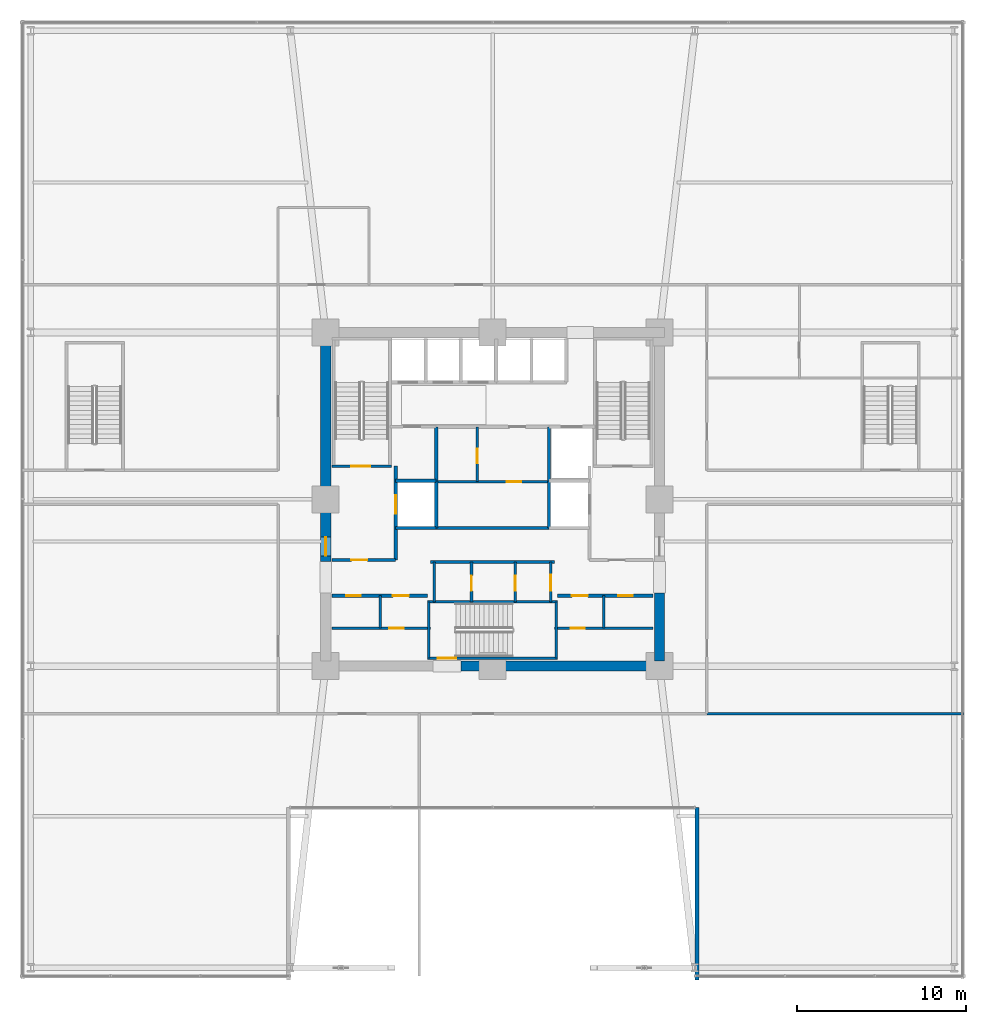
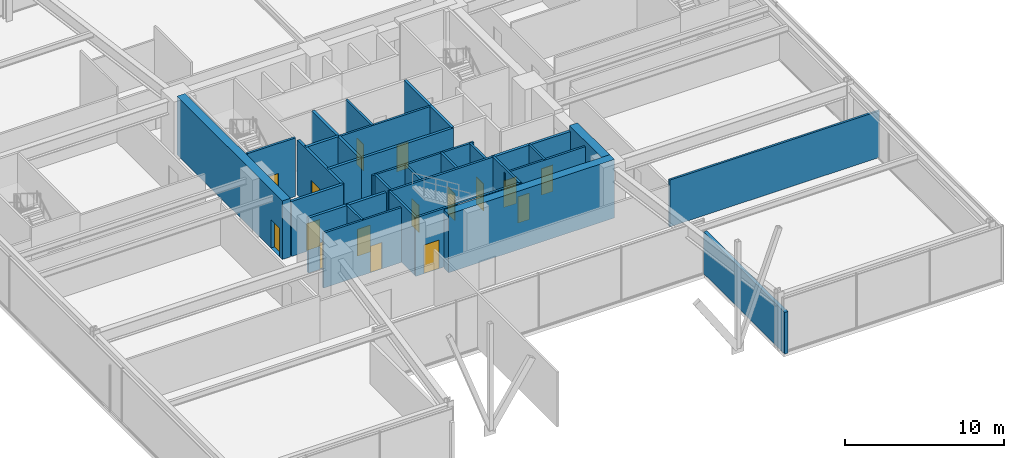
# One storey, part 41 of 47: 32 walls, 16 doors, 16 openings.
"""IFC4 building model written with IfcOpenShell, lengths in metres."""

from ifc_helpers import new_model, si_unit, direction, frame, frame_2d, origin, place, context, subcontext, project, spatial, rectangle, extrude, material, layer, layer_set, type_object, element, fill, save


model = new_model("IFC4")

# Units and contexts
model_context = context("Model", 3, precision=1e-05, world=origin(), true_north=direction((0.0, 1.0)))
body_context = subcontext(model_context, "Body", "Model", "MODEL_VIEW")
ifc_project = project(units=[si_unit("LENGTHUNIT", "METRE"), si_unit("AREAUNIT", "SQUARE_METRE"), si_unit("VOLUMEUNIT", "CUBIC_METRE"), si_unit("PLANEANGLEUNIT", "RADIAN"), si_unit("MASSUNIT", "GRAM", prefix="KILO")], contexts=[model_context])

# Site, building, storey
site_placement = place(None, origin())
site = spatial("IfcSite", under=ifc_project, at=site_placement, CompositionType="ELEMENT")
building_placement = place(site_placement, origin())
building = spatial("IfcBuilding", under=site, at=building_placement, Name="Kolvaren Belvedere", CompositionType="ELEMENT")
storey_placement = place(building_placement, frame((0.0, 0.0, 5.5)))
storey = spatial("IfcBuildingStorey", under=building, at=storey_placement, Name="L02", CompositionType="ELEMENT", Elevation=5.5)

# Walls
ifc_material_1 = material(Name="Concrete C60/75", Category="concrete")
ifc_layer_1 = layer(ifc_material_1, 0.60009765625)
ifc_layer_set_1 = layer_set([ifc_layer_1], Name="Concrete C60/75")
wall_type_1 = type_object("IfcWallType", Name="CW-CORE-600", PredefinedType="SHEAR", material=ifc_layer_set_1)
wall_1_placement = place(storey_placement, frame((10.199951171875, -9.89990234375, 0.0), z_axis=(0.0, 0.0, 1.0), x_axis=(-1.0, 0.0, 0.0)))
element("IfcWall", 1, at=wall_1_placement, inside=storey, type_object=wall_type_1, Name="L02 South Core Shear Wall 1", PredefinedType="SHEAR", context=body_context, shape_type="SweptSolid", body=[
    extrude(rectangle(XDim=12.06005859375, YDim=0.60009765625, at=frame_2d((6.030029296875, 0.0))), origin(), (0.0, 0.0, 1.0), 4.5),
])
wall_2_placement = place(storey_placement, frame((9.89990234375, -9.60009765625, 0.0), z_axis=(0.0, 0.0, 1.0), x_axis=(0.0, 1.0, 0.0)))
element("IfcWall", 2, at=wall_2_placement, inside=storey, type_object=wall_type_1, Name="L02 East Core Shear Wall 1", PredefinedType="SHEAR", context=body_context, shape_type="SweptSolid", body=[
    extrude(rectangle(XDim=4.050048828125, YDim=0.60009765625, at=frame_2d((2.02490234375, 0.0))), origin(), (0.0, 0.0, 1.0), 4.5),
])

# Wall, opening, door
wall_3_placement = place(storey_placement, frame((-9.89990234375, -3.699951171875, 0.0), z_axis=(0.0, 0.0, 1.0), x_axis=(0.0, 1.0, 0.0)))
wall_3 = element("IfcWall", 3, at=wall_3_placement, inside=storey, type_object=wall_type_1, Name="L02 West Core Shear Wall 2", PredefinedType="SHEAR", context=body_context, shape_type="SweptSolid", body=[
    extrude(rectangle(XDim=13.300048828125, YDim=0.60009765625, at=frame_2d((6.64990234375, 0.0))), origin(), (0.0, 0.0, 1.0), 4.5),
])
opening_1_placement = place(wall_3_placement, frame((0.35009765625, 0.0, 0.0)))
opening_1 = element("IfcOpeningElement", 4, at=opening_1_placement, cuts=wall_3, Name="Opening D-FD90", PredefinedType="OPENING", context=body_context, shape_type="SweptSolid", body=[
    extrude(rectangle(XDim=1.10009765625, YDim=2.199951171875, at=frame_2d((0.550048828125, 1.10009765625))), frame((0.0, 0.31005859375, 0.0), z_axis=(0.0, -1.0, 0.0), x_axis=(1.0, 0.0, 0.0)), (0.0, 0.0, 1.0), 0.6201171875),
])
ifc_material_2 = material(Name="Painted hollow stainless steel", Category="steel")
door_type_1 = type_object("IfcDoorType", Name="DR-FD90-1100", OperationType="NOTDEFINED", PredefinedType="DOOR", material=ifc_material_2)
door_1_placement = place(opening_1_placement, origin())
door_1 = element("IfcDoor", 5, at=door_1_placement, inside=storey, type_object=door_type_1, Name="L02 West Firefighting Lobby Fire Door", OperationType="SINGLE_SWING_LEFT", OverallHeight=2.199951171875, OverallWidth=1.10009765625, PredefinedType="DOOR", context=body_context, shape_type="SweptSolid", body=[
    extrude(rectangle(XDim=1.10009765625, YDim=2.199951171875, at=frame_2d((0.550048828125, 1.10009765625))), frame((0.0, 0.02490234375, 0.0), z_axis=(0.0, -1.0, 0.0), x_axis=(1.0, 0.0, 0.0)), (0.0, 0.0, 1.0), 0.050048828125),
])
fill(opening_1, door_1)

ifc_material_3 = material(Name="Concrete C50/60", Category="concrete")
ifc_layer_2 = layer(ifc_material_3, 0.159912109375)
ifc_layer_set_2 = layer_set([ifc_layer_2], Name="Concrete C50/60")
wall_type_2 = type_object("IfcWallType", Name="CW-STAIR-160", PredefinedType="SHEAR", material=ifc_layer_set_2)
wall_4_placement = place(storey_placement, frame((-9.52001953125, 1.969970703125, 0.0), z_axis=(0.0, 0.0, 1.0), x_axis=(1.0, 0.0, 0.0)))
wall_4 = element("IfcWall", 6, at=wall_4_placement, inside=storey, type_object=wall_type_2, Name="L02 Stair ST-1 South Shear Wall", PredefinedType="SHEAR", context=body_context, shape_type="SweptSolid", body=[
    extrude(rectangle(XDim=3.52001953125, YDim=0.159912109375, at=frame_2d((1.760009765625, 0.0))), origin(), (0.0, 0.0, 1.0), 4.5),
])
opening_2_placement = place(wall_4_placement, frame((1.14990234375, 0.0, 0.0)))
opening_2 = element("IfcOpeningElement", 7, at=opening_2_placement, cuts=wall_4, Name="Opening D-FD90", PredefinedType="OPENING", context=body_context, shape_type="SweptSolid", body=[
    extrude(rectangle(XDim=1.10009765625, YDim=2.199951171875, at=frame_2d((0.550048828125, 1.10009765625))), frame((0.0, 0.08984375, 0.0), z_axis=(0.0, -1.0, 0.0), x_axis=(1.0, 0.0, 0.0)), (0.0, 0.0, 1.0), 0.179931640625),
])
door_2_placement = place(opening_2_placement, origin())
door_2 = element("IfcDoor", 8, at=door_2_placement, inside=storey, type_object=door_type_1, Name="L02 Stair ST-1 Fire Door", OperationType="SINGLE_SWING_LEFT", OverallHeight=2.199951171875, OverallWidth=1.10009765625, PredefinedType="DOOR", context=body_context, shape_type="SweptSolid", body=[
    extrude(rectangle(XDim=1.10009765625, YDim=2.199951171875, at=frame_2d((0.550048828125, 1.10009765625))), frame((0.0, 0.02490234375, 0.0), z_axis=(0.0, -1.0, 0.0), x_axis=(1.0, 0.0, 0.0)), (0.0, 0.0, 1.0), 0.050048828125),
])
fill(opening_2, door_2)

wall_5_placement = place(storey_placement, frame((3.860107421875, -9.429931640625, 0.0), z_axis=(0.0, 0.0, 1.0), x_axis=(-1.0, 0.0, 0.0)))
wall_5 = element("IfcWall", 9, at=wall_5_placement, inside=storey, type_object=wall_type_2, Name="L02 Stair ST-3 South Shear Wall", PredefinedType="SHEAR", context=body_context, shape_type="SweptSolid", body=[
    extrude(rectangle(XDim=7.72021484375, YDim=0.159912109375, at=frame_2d((3.860107421875, 0.0))), origin(), (0.0, 0.0, 1.0), 4.5),
])
opening_3_placement = place(wall_5_placement, frame((6.010009765625, 0.0, 0.0)))
opening_3 = element("IfcOpeningElement", 10, at=opening_3_placement, cuts=wall_5, Name="Opening D-FD90", PredefinedType="OPENING", context=body_context, shape_type="SweptSolid", body=[
    extrude(rectangle(XDim=1.10009765625, YDim=2.199951171875, at=frame_2d((0.550048828125, 1.10009765625))), frame((0.0, 0.08984375, 0.0), z_axis=(0.0, -1.0, 0.0), x_axis=(1.0, 0.0, 0.0)), (0.0, 0.0, 1.0), 0.179931640625),
])
door_3_placement = place(opening_3_placement, origin())
door_3 = element("IfcDoor", 11, at=door_3_placement, inside=storey, type_object=door_type_1, Name="L02 Stair ST-3 Exit Door", OperationType="SINGLE_SWING_RIGHT", OverallHeight=2.199951171875, OverallWidth=1.10009765625, PredefinedType="DOOR", context=body_context, shape_type="SweptSolid", body=[
    extrude(rectangle(XDim=1.10009765625, YDim=2.199951171875, at=frame_2d((0.550048828125, 1.10009765625))), frame((0.0, 0.02490234375, 0.0), z_axis=(0.0, -1.0, 0.0), x_axis=(1.0, 0.0, 0.0)), (0.0, 0.0, 1.0), 0.050048828125),
])
fill(opening_3, door_3)

# Walls
wall_6_placement = place(storey_placement, frame((-3.860107421875, -6.080078125, 0.0), z_axis=(0.0, 0.0, 1.0), x_axis=(1.0, 0.0, 0.0)))
element("IfcWall", 12, at=wall_6_placement, inside=storey, type_object=wall_type_2, Name="L02 Stair ST-3 North Shear Wall", PredefinedType="SHEAR", context=body_context, shape_type="SweptSolid", body=[
    extrude(rectangle(XDim=7.72021484375, YDim=0.159912109375, at=frame_2d((3.860107421875, 0.0))), origin(), (0.0, 0.0, 1.0), 4.5),
])
for number, where, z_axis, x_axis, name in (
    (13, (-3.780029296875, -9.429931640625, 0.0), (0.0, 0.0, 1.0), (0.0, 1.0, 0.0), "L02 Stair ST-3 West Shear Wall"),
    (14, (3.780029296875, -9.429931640625, 0.0), (0.0, 0.0, 1.0), (0.0, 1.0, 0.0), "L02 Stair ST-3 East Shear Wall"),
):
    element("IfcWall", number, at=place(storey_placement, frame(where, z_axis=z_axis, x_axis=x_axis)), inside=storey, type_object=wall_type_2, Name=name, PredefinedType="SHEAR", context=body_context, shape_type="SweptSolid", body=[
        extrude(rectangle(XDim=3.349853515625, YDim=0.159912109375, at=frame_2d((1.6748046875, 0.0))), origin(), (0.0, 0.0, 1.0), 4.5),
    ])
ifc_material_4 = material(Name="Gypsum fire-rated partition assembly", Category="gypsum")
ifc_layer_3 = layer(ifc_material_4, 0.14990234375)
ifc_layer_set_3 = layer_set([ifc_layer_3], Name="Gypsum fire-rated partition assembly")
wall_type_3 = type_object("IfcWallType", Name="WL-CORR-150", PredefinedType="PARTITIONING", material=ifc_layer_set_3)
wall_7_placement = place(storey_placement, frame((12.719970703125, -12.719970703125, 0.0), z_axis=(0.0, 0.0, 1.0), x_axis=(1.0, 0.0, 0.0)))
element("IfcWall", 15, at=wall_7_placement, inside=storey, type_object=wall_type_3, Name="L02 Sector Wall PW-L02-QSE", PredefinedType="PARTITIONING", context=body_context, shape_type="SweptSolid", body=[
    extrude(rectangle(XDim=15.260009765625, YDim=0.14990234375, at=frame_2d((7.6298828125, 0.0))), origin(), (0.0, 0.0, 1.0), 3.589111328125),
])
ifc_material_5 = material(Name="Insulated pale-metal facade wall assembly", Category="aluminium")
ifc_layer_4 = layer(ifc_material_5, 0.239990234375)
ifc_layer_set_4 = layer_set([ifc_layer_4], Name="Insulated pale-metal facade wall assembly")
wall_type_4 = type_object("IfcWallType", Name="WL-EXT-240", PredefinedType="STANDARD", material=ifc_layer_set_4)
wall_8_placement = place(storey_placement, frame((12.1201171875, -28.52001953125, 0.0), z_axis=(0.0, 0.0, 1.0), x_axis=(0.0, 1.0, 0.0)))
element("IfcWall", 16, at=wall_8_placement, inside=storey, type_object=wall_type_4, Name="L02 Serrated Corner Facade Wall 4", PredefinedType="STANDARD", context=body_context, shape_type="SweptSolid", body=[
    extrude(rectangle(XDim=10.239990234375, YDim=0.239990234375, at=frame_2d((5.1201171875, 0.0))), origin(), (0.0, 0.0, 1.0), 3.2041015625),
])

# Wall, opening, door
ifc_material_6 = material(Name="Gypsum acoustic partition assembly", Category="gypsum")
ifc_layer_5 = layer(ifc_material_6, 0.14990234375)
ifc_layer_set_5 = layer_set([ifc_layer_5], Name="Gypsum acoustic partition assembly")
wall_type_5 = type_object("IfcWallType", Name="WL-PART-150", PredefinedType="PARTITIONING", material=ifc_layer_set_5)
wall_9_placement = place(storey_placement, frame((-9.52001953125, -7.64990234375, 0.0), z_axis=(0.0, 0.0, 1.0), x_axis=(1.0, 0.0, 0.0)))
wall_9 = element("IfcWall", 17, at=wall_9_placement, inside=storey, type_object=wall_type_5, Name="L02 SW Core H-Divider", PredefinedType="PARTITIONING", context=body_context, shape_type="SweptSolid", body=[
    extrude(rectangle(XDim=5.840087890625, YDim=0.14990234375, at=frame_2d((2.919921875, 0.0))), origin(), (0.0, 0.0, 1.0), 4.219970703125),
])
opening_4_placement = place(wall_9_placement, frame((3.39990234375, 0.0, 0.0)))
opening_4 = element("IfcOpeningElement", 18, at=opening_4_placement, cuts=wall_9, Name="Opening D-INT85", PredefinedType="OPENING", context=body_context, shape_type="SweptSolid", body=[
    extrude(rectangle(XDim=0.85009765625, YDim=2.030029296875, at=frame_2d((0.425048828125, 1.01513671875))), frame((0.0, 0.0849609375, 0.0), z_axis=(0.0, -1.0, 0.0), x_axis=(1.0, 0.0, 0.0)), (0.0, 0.0, 1.0), 0.169921875),
])
ifc_material_7 = material(Name="Stained Pacific white oak", Category="timber")
door_type_2 = type_object("IfcDoorType", Name="DR-INT-850", OperationType="NOTDEFINED", PredefinedType="DOOR", material=ifc_material_7)
door_4_placement = place(opening_4_placement, origin())
door_4 = element("IfcDoor", 19, at=door_4_placement, inside=storey, type_object=door_type_2, Name="L02 SW Archive Door", OperationType="SINGLE_SWING_LEFT", OverallHeight=2.030029296875, OverallWidth=0.85009765625, PredefinedType="DOOR", context=body_context, shape_type="SweptSolid", body=[
    extrude(rectangle(XDim=0.85009765625, YDim=2.030029296875, at=frame_2d((0.425048828125, 1.01513671875))), frame((0.0, 0.02490234375, 0.0), z_axis=(0.0, -1.0, 0.0), x_axis=(1.0, 0.0, 0.0)), (0.0, 0.0, 1.0), 0.050048828125),
])
fill(opening_4, door_4)

# Wall
wall_10_placement = place(storey_placement, frame((-6.64990234375, -7.64990234375, 0.0), z_axis=(0.0, 0.0, 1.0), x_axis=(0.0, 1.0, 0.0)))
element("IfcWall", 20, at=wall_10_placement, inside=storey, type_object=wall_type_5, Name="L02 SW Core V-Divider", PredefinedType="PARTITIONING", context=body_context, shape_type="SweptSolid", body=[
    extrude(rectangle(XDim=1.929931640625, YDim=0.14990234375, at=frame_2d((0.96484375, 0.0))), origin(), (0.0, 0.0, 1.0), 4.219970703125),
])

# Wall, opening, door
wall_11_placement = place(storey_placement, frame((3.679931640625, -7.64990234375, 0.0), z_axis=(0.0, 0.0, 1.0), x_axis=(1.0, 0.0, 0.0)))
wall_11 = element("IfcWall", 21, at=wall_11_placement, inside=storey, type_object=wall_type_5, Name="L02 SE Core H-Divider", PredefinedType="PARTITIONING", context=body_context, shape_type="SweptSolid", body=[
    extrude(rectangle(XDim=5.840087890625, YDim=0.14990234375, at=frame_2d((2.919921875, 0.0))), origin(), (0.0, 0.0, 1.0), 4.219970703125),
])
opening_5_placement = place(wall_11_placement, frame((0.949951171875, 0.0, 0.0)))
opening_5 = element("IfcOpeningElement", 22, at=opening_5_placement, cuts=wall_11, Name="Opening D-INT85", PredefinedType="OPENING", context=body_context, shape_type="SweptSolid", body=[
    extrude(rectangle(XDim=0.85009765625, YDim=2.030029296875, at=frame_2d((0.425048828125, 1.01513671875))), frame((0.0, 0.0849609375, 0.0), z_axis=(0.0, -1.0, 0.0), x_axis=(1.0, 0.0, 0.0)), (0.0, 0.0, 1.0), 0.169921875),
])
door_5_placement = place(opening_5_placement, origin())
door_5 = element("IfcDoor", 23, at=door_5_placement, inside=storey, type_object=door_type_2, Name="L02 SE Fibre Door", OperationType="SINGLE_SWING_RIGHT", OverallHeight=2.030029296875, OverallWidth=0.85009765625, PredefinedType="DOOR", context=body_context, shape_type="SweptSolid", body=[
    extrude(rectangle(XDim=0.85009765625, YDim=2.030029296875, at=frame_2d((0.425048828125, 1.01513671875))), frame((0.0, 0.02490234375, 0.0), z_axis=(0.0, -1.0, 0.0), x_axis=(1.0, 0.0, 0.0)), (0.0, 0.0, 1.0), 0.050048828125),
])
fill(opening_5, door_5)

# Wall
wall_12_placement = place(storey_placement, frame((6.60009765625, -7.64990234375, 0.0), z_axis=(0.0, 0.0, 1.0), x_axis=(0.0, 1.0, 0.0)))
element("IfcWall", 24, at=wall_12_placement, inside=storey, type_object=wall_type_5, Name="L02 SE Core V-Divider", PredefinedType="PARTITIONING", context=body_context, shape_type="SweptSolid", body=[
    extrude(rectangle(XDim=1.929931640625, YDim=0.14990234375, at=frame_2d((0.96484375, 0.0))), origin(), (0.0, 0.0, 1.0), 4.219970703125),
])

# Wall, opening, door
wall_13_placement = place(storey_placement, frame((-3.35009765625, 1.050048828125, 0.0), z_axis=(0.0, 0.0, 1.0), x_axis=(1.0, 0.0, 0.0)))
wall_13 = element("IfcWall", 25, at=wall_13_placement, inside=storey, type_object=wall_type_5, Name="L02 Central Core H-Divider", PredefinedType="PARTITIONING", context=body_context, shape_type="SweptSolid", body=[
    extrude(rectangle(XDim=6.7001953125, YDim=0.14990234375, at=frame_2d((3.35009765625, 0.0))), origin(), (0.0, 0.0, 1.0), 4.219970703125),
])
opening_6_placement = place(wall_13_placement, frame((4.199951171875, 0.0, 0.0)))
opening_6 = element("IfcOpeningElement", 26, at=opening_6_placement, cuts=wall_13, Name="Opening D-INT85", PredefinedType="OPENING", context=body_context, shape_type="SweptSolid", body=[
    extrude(rectangle(XDim=0.85009765625, YDim=2.030029296875, at=frame_2d((0.425048828125, 1.01513671875))), frame((0.0, 0.0849609375, 0.0), z_axis=(0.0, -1.0, 0.0), x_axis=(1.0, 0.0, 0.0)), (0.0, 0.0, 1.0), 0.169921875),
])
door_6_placement = place(opening_6_placement, origin())
door_6 = element("IfcDoor", 27, at=door_6_placement, inside=storey, type_object=door_type_2, Name="L02 Central Metering Door", OperationType="SINGLE_SWING_LEFT", OverallHeight=2.030029296875, OverallWidth=0.85009765625, PredefinedType="DOOR", context=body_context, shape_type="SweptSolid", body=[
    extrude(rectangle(XDim=0.85009765625, YDim=2.030029296875, at=frame_2d((0.425048828125, 1.01513671875))), frame((0.0, 0.02490234375, 0.0), z_axis=(0.0, -1.0, 0.0), x_axis=(1.0, 0.0, 0.0)), (0.0, 0.0, 1.0), 0.050048828125),
])
fill(opening_6, door_6)

wall_14_placement = place(storey_placement, frame((-0.89990234375, 1.050048828125, 0.0), z_axis=(0.0, 0.0, 1.0), x_axis=(0.0, 1.0, 0.0)))
wall_14 = element("IfcWall", 28, at=wall_14_placement, inside=storey, type_object=wall_type_5, Name="L02 Central Core V-Divider", PredefinedType="PARTITIONING", context=body_context, shape_type="SweptSolid", body=[
    extrude(rectangle(XDim=3.25, YDim=0.14990234375, at=frame_2d((1.625, 0.0))), origin(), (0.0, 0.0, 1.0), 4.219970703125),
])
opening_7_placement = place(wall_14_placement, frame((1.10009765625, 0.0, 0.0)))
opening_7 = element("IfcOpeningElement", 29, at=opening_7_placement, cuts=wall_14, Name="Opening D-INT85", PredefinedType="OPENING", context=body_context, shape_type="SweptSolid", body=[
    extrude(rectangle(XDim=0.85009765625, YDim=2.030029296875, at=frame_2d((0.425048828125, 1.01513671875))), frame((0.0, 0.0849609375, 0.0), z_axis=(0.0, -1.0, 0.0), x_axis=(1.0, 0.0, 0.0)), (0.0, 0.0, 1.0), 0.169921875),
])
door_7_placement = place(opening_7_placement, origin())
door_7 = element("IfcDoor", 30, at=door_7_placement, inside=storey, type_object=door_type_2, Name="L02 Central Telecom Door", OperationType="SINGLE_SWING_RIGHT", OverallHeight=2.030029296875, OverallWidth=0.85009765625, PredefinedType="DOOR", context=body_context, shape_type="SweptSolid", body=[
    extrude(rectangle(XDim=0.85009765625, YDim=2.030029296875, at=frame_2d((0.425048828125, 1.01513671875))), frame((0.0, 0.02490234375, 0.0), z_axis=(0.0, -1.0, 0.0), x_axis=(1.0, 0.0, 0.0)), (0.0, 0.0, 1.0), 0.050048828125),
])
fill(opening_7, door_7)

# Wall
wall_15_placement = place(storey_placement, frame((-3.679931640625, -3.719970703125, 0.0), z_axis=(0.0, 0.0, 1.0), x_axis=(1.0, 0.0, 0.0)))
element("IfcWall", 31, at=wall_15_placement, inside=storey, type_object=wall_type_5, Name="L02 South Core Service North Wall", PredefinedType="PARTITIONING", context=body_context, shape_type="SweptSolid", body=[
    extrude(rectangle(XDim=7.35986328125, YDim=0.14990234375, at=frame_2d((3.679931640625, 0.0))), origin(), (0.0, 0.0, 1.0), 4.219970703125),
])

# Wall, opening, door
wall_16_placement = place(storey_placement, frame((3.449951171875, -6.080078125, 0.0), z_axis=(0.0, 0.0, 1.0), x_axis=(0.0, 1.0, 0.0)))
wall_16 = element("IfcWall", 32, at=wall_16_placement, inside=storey, type_object=wall_type_5, Name="L02 South Core Service East Wall", PredefinedType="PARTITIONING", context=body_context, shape_type="SweptSolid", body=[
    extrude(rectangle(XDim=2.360107421875, YDim=0.14990234375, at=frame_2d((1.18017578125, 0.0))), origin(), (0.0, 0.0, 1.0), 4.219970703125),
])
opening_8_placement = place(wall_16_placement, frame((0.64990234375, 0.0, 0.0)))
opening_8 = element("IfcOpeningElement", 33, at=opening_8_placement, cuts=wall_16, Name="Opening D-FD60", PredefinedType="OPENING", context=body_context, shape_type="SweptSolid", body=[
    extrude(rectangle(XDim=0.949951171875, YDim=2.06005859375, at=frame_2d((0.47509765625, 1.030029296875))), frame((0.0, 0.0849609375, 0.0), z_axis=(0.0, -1.0, 0.0), x_axis=(1.0, 0.0, 0.0)), (0.0, 0.0, 1.0), 0.169921875),
])
ifc_material_8 = material(Name="Acoustic white-oak fire door leaf", Category="timber")
door_type_3 = type_object("IfcDoorType", Name="DR-FD60-950", OperationType="NOTDEFINED", PredefinedType="DOOR", material=ifc_material_8)
door_8_placement = place(opening_8_placement, origin())
door_8 = element("IfcDoor", 34, at=door_8_placement, inside=storey, type_object=door_type_3, Name="L02 Core Service Room Door", OperationType="SINGLE_SWING_LEFT", OverallHeight=2.06005859375, OverallWidth=0.949951171875, PredefinedType="DOOR", context=body_context, shape_type="SweptSolid", body=[
    extrude(rectangle(XDim=0.949951171875, YDim=2.06005859375, at=frame_2d((0.47509765625, 1.030029296875))), frame((0.0, 0.02490234375, 0.0), z_axis=(0.0, -1.0, 0.0), x_axis=(1.0, 0.0, 0.0)), (0.0, 0.0, 1.0), 0.050048828125),
])
fill(opening_8, door_8)

# Wall
wall_17_placement = place(storey_placement, frame((-3.449951171875, -6.080078125, 0.0), z_axis=(0.0, 0.0, 1.0), x_axis=(0.0, 1.0, 0.0)))
element("IfcWall", 35, at=wall_17_placement, inside=storey, type_object=wall_type_5, Name="L02 South Core Service West Wall", PredefinedType="PARTITIONING", context=body_context, shape_type="SweptSolid", body=[
    extrude(rectangle(XDim=2.360107421875, YDim=0.14990234375, at=frame_2d((1.18017578125, 0.0))), origin(), (0.0, 0.0, 1.0), 4.219970703125),
])

# Wall, opening, door
wall_18_placement = place(storey_placement, frame((1.35009765625, -6.080078125, 0.0), z_axis=(0.0, 0.0, 1.0), x_axis=(0.0, 1.0, 0.0)))
wall_18 = element("IfcWall", 36, at=wall_18_placement, inside=storey, type_object=wall_type_5, Name="L02 Core Service Divider 1", PredefinedType="PARTITIONING", context=body_context, shape_type="SweptSolid", body=[
    extrude(rectangle(XDim=2.360107421875, YDim=0.14990234375, at=frame_2d((1.18017578125, 0.0))), origin(), (0.0, 0.0, 1.0), 4.219970703125),
])
opening_9_placement = place(wall_18_placement, frame((0.64990234375, 0.0, 0.0)))
opening_9 = element("IfcOpeningElement", 37, at=opening_9_placement, cuts=wall_18, Name="Opening D-INT90", PredefinedType="OPENING", context=body_context, shape_type="SweptSolid", body=[
    extrude(rectangle(XDim=0.89990234375, YDim=2.06005859375, at=frame_2d((0.449951171875, 1.030029296875))), frame((0.0, 0.0849609375, 0.0), z_axis=(0.0, -1.0, 0.0), x_axis=(1.0, 0.0, 0.0)), (0.0, 0.0, 1.0), 0.169921875),
])
ifc_material_9 = material(Name="Stained Pacific white oak", Category="timber")
door_type_4 = type_object("IfcDoorType", Name="DR-INT-900", OperationType="NOTDEFINED", PredefinedType="DOOR", material=ifc_material_9)
door_9_placement = place(opening_9_placement, origin())
door_9 = element("IfcDoor", 38, at=door_9_placement, inside=storey, type_object=door_type_4, Name="L02 Data Closet Door", OperationType="SINGLE_SWING_RIGHT", OverallHeight=2.06005859375, OverallWidth=0.89990234375, PredefinedType="DOOR", context=body_context, shape_type="SweptSolid", body=[
    extrude(rectangle(XDim=0.89990234375, YDim=2.06005859375, at=frame_2d((0.449951171875, 1.030029296875))), frame((0.0, 0.02490234375, 0.0), z_axis=(0.0, -1.0, 0.0), x_axis=(1.0, 0.0, 0.0)), (0.0, 0.0, 1.0), 0.050048828125),
])
fill(opening_9, door_9)

wall_19_placement = place(storey_placement, frame((-1.25, -6.080078125, 0.0), z_axis=(0.0, 0.0, 1.0), x_axis=(0.0, 1.0, 0.0)))
wall_19 = element("IfcWall", 39, at=wall_19_placement, inside=storey, type_object=wall_type_5, Name="L02 Core Service Divider 2", PredefinedType="PARTITIONING", context=body_context, shape_type="SweptSolid", body=[
    extrude(rectangle(XDim=2.360107421875, YDim=0.14990234375, at=frame_2d((1.18017578125, 0.0))), origin(), (0.0, 0.0, 1.0), 4.219970703125),
])
opening_10_placement = place(wall_19_placement, frame((0.64990234375, 0.0, 0.0)))
opening_10 = element("IfcOpeningElement", 40, at=opening_10_placement, cuts=wall_19, Name="Opening D-INT90", PredefinedType="OPENING", context=body_context, shape_type="SweptSolid", body=[
    extrude(rectangle(XDim=0.89990234375, YDim=2.06005859375, at=frame_2d((0.449951171875, 1.030029296875))), frame((0.0, 0.0849609375, 0.0), z_axis=(0.0, -1.0, 0.0), x_axis=(1.0, 0.0, 0.0)), (0.0, 0.0, 1.0), 0.169921875),
])
door_10_placement = place(opening_10_placement, origin())
door_10 = element("IfcDoor", 41, at=door_10_placement, inside=storey, type_object=door_type_4, Name="L02 Janitor Room Door", OperationType="SINGLE_SWING_LEFT", OverallHeight=2.06005859375, OverallWidth=0.89990234375, PredefinedType="DOOR", context=body_context, shape_type="SweptSolid", body=[
    extrude(rectangle(XDim=0.89990234375, YDim=2.06005859375, at=frame_2d((0.449951171875, 1.030029296875))), frame((0.0, 0.02490234375, 0.0), z_axis=(0.0, -1.0, 0.0), x_axis=(1.0, 0.0, 0.0)), (0.0, 0.0, 1.0), 0.050048828125),
])
fill(opening_10, door_10)

ifc_material_10 = material(Name="Concrete C50/60", Category="concrete")
ifc_layer_6 = layer(ifc_material_10, 0.199951171875)
ifc_layer_set_6 = layer_set([ifc_layer_6], Name="Concrete C50/60")
wall_type_6 = type_object("IfcWallType", Name="WL-SHAFT-200", PredefinedType="SOLIDWALL", material=ifc_layer_set_6)
wall_20_placement = place(storey_placement, frame((-9.52001953125, -3.60009765625, 0.0), z_axis=(0.0, 0.0, 1.0), x_axis=(1.0, 0.0, 0.0)))
wall_20 = element("IfcWall", 42, at=wall_20_placement, inside=storey, type_object=wall_type_6, Name="L02 West FSAE Lobby South Wall", PredefinedType="SOLIDWALL", context=body_context, shape_type="SweptSolid", body=[
    extrude(rectangle(XDim=3.77001953125, YDim=0.199951171875, at=frame_2d((1.885009765625, 0.0))), origin(), (0.0, 0.0, 1.0), 4.219970703125),
])
opening_11_placement = place(wall_20_placement, frame((1.14990234375, 0.0, 0.0)))
opening_11 = element("IfcOpeningElement", 43, at=opening_11_placement, cuts=wall_20, Name="Opening D-FD60", PredefinedType="OPENING", context=body_context, shape_type="SweptSolid", body=[
    extrude(rectangle(XDim=0.949951171875, YDim=2.06005859375, at=frame_2d((0.47509765625, 1.030029296875))), frame((0.0, 0.10986328125, 0.0), z_axis=(0.0, -1.0, 0.0), x_axis=(1.0, 0.0, 0.0)), (0.0, 0.0, 1.0), 0.219970703125),
])
door_11_placement = place(opening_11_placement, origin())
door_11 = element("IfcDoor", 44, at=door_11_placement, inside=storey, type_object=door_type_3, Name="L02 SW Lift Lobby Fire Door", OperationType="SINGLE_SWING_LEFT", OverallHeight=2.06005859375, OverallWidth=0.949951171875, PredefinedType="DOOR", context=body_context, shape_type="SweptSolid", body=[
    extrude(rectangle(XDim=0.949951171875, YDim=2.06005859375, at=frame_2d((0.47509765625, 1.030029296875))), frame((0.0, 0.02490234375, 0.0), z_axis=(0.0, -1.0, 0.0), x_axis=(1.0, 0.0, 0.0)), (0.0, 0.0, 1.0), 0.050048828125),
])
fill(opening_11, door_11)

wall_21_placement = place(storey_placement, frame((-5.75, -3.60009765625, 0.0), z_axis=(0.0, 0.0, 1.0), x_axis=(0.0, 1.0, 0.0)))
wall_21 = element("IfcWall", 45, at=wall_21_placement, inside=storey, type_object=wall_type_6, Name="L02 FSAE FS1 Landing Wall", PredefinedType="SOLIDWALL", context=body_context, shape_type="SweptSolid", body=[
    extrude(rectangle(XDim=5.570068359375, YDim=0.199951171875, at=frame_2d((2.78515625, 0.0))), origin(), (0.0, 0.0, 1.0), 4.219970703125),
])
opening_12_placement = place(wall_21_placement, frame((2.75, 0.0, 0.0)))
opening_12 = element("IfcOpeningElement", 46, at=opening_12_placement, cuts=wall_21, Name="Opening LD-11", PredefinedType="OPENING", context=body_context, shape_type="SweptSolid", body=[
    extrude(rectangle(XDim=1.10009765625, YDim=2.199951171875, at=frame_2d((0.550048828125, 1.10009765625))), frame((0.0, 0.10986328125, 0.0), z_axis=(0.0, -1.0, 0.0), x_axis=(1.0, 0.0, 0.0)), (0.0, 0.0, 1.0), 0.219970703125),
])
ifc_material_11 = material(Name="Brushed stainless steel", Category="steel")
door_type_5 = type_object("IfcDoorType", Name="DR-LIFT-1100", OperationType="DOUBLE_DOOR_SLIDING", PredefinedType="DOOR", material=ifc_material_11)
door_12_placement = place(opening_12_placement, origin())
door_12 = element("IfcDoor", 47, at=door_12_placement, inside=storey, type_object=door_type_5, Name="L02 Firefighting Lift FS1 Landing Door", OperationType="DOUBLE_DOOR_SLIDING", OverallHeight=2.199951171875, OverallWidth=1.10009765625, PredefinedType="DOOR", context=body_context, shape_type="SweptSolid", body=[
    extrude(rectangle(XDim=1.10009765625, YDim=2.199951171875, at=frame_2d((0.550048828125, 1.10009765625))), frame((0.0, 0.02490234375, 0.0), z_axis=(0.0, -1.0, 0.0), x_axis=(1.0, 0.0, 0.0)), (0.0, 0.0, 1.0), 0.050048828125),
])
fill(opening_12, door_12)

# Walls
wall_22_placement = place(storey_placement, frame((-3.35009765625, -1.699951171875, 0.0), z_axis=(0.0, 0.0, 1.0), x_axis=(0.0, 1.0, 0.0)))
element("IfcWall", 48, at=wall_22_placement, inside=storey, type_object=wall_type_6, Name="L02 FSAE FS1 Back Wall", PredefinedType="SOLIDWALL", context=body_context, shape_type="SweptSolid", body=[
    extrude(rectangle(XDim=2.800048828125, YDim=0.199951171875, at=frame_2d((1.39990234375, 0.0))), origin(), (0.0, 0.0, 1.0), 4.219970703125),
])
for number, where, z_axis, x_axis, name in (
    (49, (-5.75, -1.699951171875, 0.0), (0.0, 0.0, 1.0), (1.0, 0.0, 0.0), "L02 FSAE FS1 South Wall"),
    (50, (-5.75, 1.10009765625, 0.0), (0.0, 0.0, 1.0), (1.0, 0.0, 0.0), "L02 FSAE FS1 North Wall"),
):
    element("IfcWall", number, at=place(storey_placement, frame(where, z_axis=z_axis, x_axis=x_axis)), inside=storey, type_object=wall_type_6, Name=name, PredefinedType="SOLIDWALL", context=body_context, shape_type="SweptSolid", body=[
        extrude(rectangle(XDim=2.39990234375, YDim=0.199951171875, at=frame_2d((1.199951171875, 0.0))), origin(), (0.0, 0.0, 1.0), 4.219970703125),
    ])
wall_23_placement = place(storey_placement, frame((3.35009765625, -1.699951171875, 0.0), z_axis=(0.0, 0.0, 1.0), x_axis=(0.0, 1.0, 0.0)))
element("IfcWall", 51, at=wall_23_placement, inside=storey, type_object=wall_type_6, Name="L02 FSAE FS2 Back Wall", PredefinedType="SOLIDWALL", context=body_context, shape_type="SweptSolid", body=[
    extrude(rectangle(XDim=2.800048828125, YDim=0.199951171875, at=frame_2d((1.39990234375, 0.0))), origin(), (0.0, 0.0, 1.0), 4.219970703125),
])

# Wall, openings, doors
wall_24_placement = place(storey_placement, frame((-9.52001953125, -5.719970703125, 0.0), z_axis=(0.0, 0.0, 1.0), x_axis=(1.0, 0.0, 0.0)))
wall_24 = element("IfcWall", 52, at=wall_24_placement, inside=storey, type_object=wall_type_6, Name="L02 SW Core Reserve Wall", PredefinedType="SOLIDWALL", context=body_context, shape_type="SweptSolid", body=[
    extrude(rectangle(XDim=5.659912109375, YDim=0.199951171875, at=frame_2d((2.830078125, 0.0))), origin(), (0.0, 0.0, 1.0), 4.219970703125),
])
opening_13_placement = place(wall_24_placement, frame((3.60009765625, 0.0, 0.0)))
opening_13 = element("IfcOpeningElement", 53, at=opening_13_placement, cuts=wall_24, Name="Opening D-FD60", PredefinedType="OPENING", context=body_context, shape_type="SweptSolid", body=[
    extrude(rectangle(XDim=0.949951171875, YDim=2.06005859375, at=frame_2d((0.47509765625, 1.030029296875))), frame((0.0, 0.10986328125, 0.0), z_axis=(0.0, -1.0, 0.0), x_axis=(1.0, 0.0, 0.0)), (0.0, 0.0, 1.0), 0.219970703125),
])
opening_14_placement = place(wall_24_placement, frame((0.85009765625, 0.0, 0.0)))
opening_14 = element("IfcOpeningElement", 54, at=opening_14_placement, cuts=wall_24, Name="Opening D-INT85", PredefinedType="OPENING", context=body_context, shape_type="SweptSolid", body=[
    extrude(rectangle(XDim=0.85009765625, YDim=2.030029296875, at=frame_2d((0.425048828125, 1.01513671875))), frame((0.0, 0.10986328125, 0.0), z_axis=(0.0, -1.0, 0.0), x_axis=(1.0, 0.0, 0.0)), (0.0, 0.0, 1.0), 0.219970703125),
])
door_13_placement = place(opening_13_placement, origin())
door_13 = element("IfcDoor", 55, at=door_13_placement, inside=storey, type_object=door_type_3, Name="L02 SW Pantry Door", OperationType="SINGLE_SWING_LEFT", OverallHeight=2.06005859375, OverallWidth=0.949951171875, PredefinedType="DOOR", context=body_context, shape_type="SweptSolid", body=[
    extrude(rectangle(XDim=0.949951171875, YDim=2.06005859375, at=frame_2d((0.47509765625, 1.030029296875))), frame((0.0, 0.02490234375, 0.0), z_axis=(0.0, -1.0, 0.0), x_axis=(1.0, 0.0, 0.0)), (0.0, 0.0, 1.0), 0.050048828125),
])
fill(opening_13, door_13)
door_14_placement = place(opening_14_placement, origin())
door_14 = element("IfcDoor", 56, at=door_14_placement, inside=storey, type_object=door_type_2, Name="L02 SW Linen Door", OperationType="SINGLE_SWING_RIGHT", OverallHeight=2.030029296875, OverallWidth=0.85009765625, PredefinedType="DOOR", context=body_context, shape_type="SweptSolid", body=[
    extrude(rectangle(XDim=0.85009765625, YDim=2.030029296875, at=frame_2d((0.425048828125, 1.01513671875))), frame((0.0, 0.02490234375, 0.0), z_axis=(0.0, -1.0, 0.0), x_axis=(1.0, 0.0, 0.0)), (0.0, 0.0, 1.0), 0.050048828125),
])
fill(opening_14, door_14)

wall_25_placement = place(storey_placement, frame((3.860107421875, -5.719970703125, 0.0), z_axis=(0.0, 0.0, 1.0), x_axis=(1.0, 0.0, 0.0)))
wall_25 = element("IfcWall", 57, at=wall_25_placement, inside=storey, type_object=wall_type_6, Name="L02 SE Core Distribution Wall", PredefinedType="SOLIDWALL", context=body_context, shape_type="SweptSolid", body=[
    extrude(rectangle(XDim=5.659912109375, YDim=0.199951171875, at=frame_2d((2.830078125, 0.0))), origin(), (0.0, 0.0, 1.0), 4.219970703125),
])
opening_15_placement = place(wall_25_placement, frame((0.85009765625, 0.0, 0.0)))
opening_15 = element("IfcOpeningElement", 58, at=opening_15_placement, cuts=wall_25, Name="Opening D-FD60", PredefinedType="OPENING", context=body_context, shape_type="SweptSolid", body=[
    extrude(rectangle(XDim=0.949951171875, YDim=2.06005859375, at=frame_2d((0.47509765625, 1.030029296875))), frame((0.0, 0.10986328125, 0.0), z_axis=(0.0, -1.0, 0.0), x_axis=(1.0, 0.0, 0.0)), (0.0, 0.0, 1.0), 0.219970703125),
])
opening_16_placement = place(wall_25_placement, frame((3.60009765625, 0.0, 0.0)))
opening_16 = element("IfcOpeningElement", 59, at=opening_16_placement, cuts=wall_25, Name="Opening D-INT85", PredefinedType="OPENING", context=body_context, shape_type="SweptSolid", body=[
    extrude(rectangle(XDim=0.85009765625, YDim=2.030029296875, at=frame_2d((0.425048828125, 1.01513671875))), frame((0.0, 0.10986328125, 0.0), z_axis=(0.0, -1.0, 0.0), x_axis=(1.0, 0.0, 0.0)), (0.0, 0.0, 1.0), 0.219970703125),
])
door_15_placement = place(opening_15_placement, origin())
door_15 = element("IfcDoor", 60, at=door_15_placement, inside=storey, type_object=door_type_3, Name="L02 SE Pantry Door", OperationType="SINGLE_SWING_RIGHT", OverallHeight=2.06005859375, OverallWidth=0.949951171875, PredefinedType="DOOR", context=body_context, shape_type="SweptSolid", body=[
    extrude(rectangle(XDim=0.949951171875, YDim=2.06005859375, at=frame_2d((0.47509765625, 1.030029296875))), frame((0.0, 0.02490234375, 0.0), z_axis=(0.0, -1.0, 0.0), x_axis=(1.0, 0.0, 0.0)), (0.0, 0.0, 1.0), 0.050048828125),
])
fill(opening_15, door_15)
door_16_placement = place(opening_16_placement, origin())
door_16 = element("IfcDoor", 61, at=door_16_placement, inside=storey, type_object=door_type_2, Name="L02 SE Linen Door", OperationType="SINGLE_SWING_LEFT", OverallHeight=2.030029296875, OverallWidth=0.85009765625, PredefinedType="DOOR", context=body_context, shape_type="SweptSolid", body=[
    extrude(rectangle(XDim=0.85009765625, YDim=2.030029296875, at=frame_2d((0.425048828125, 1.01513671875))), frame((0.0, 0.02490234375, 0.0), z_axis=(0.0, -1.0, 0.0), x_axis=(1.0, 0.0, 0.0)), (0.0, 0.0, 1.0), 0.050048828125),
])
fill(opening_16, door_16)

# Walls
wall_26_placement = place(storey_placement, frame((-3.35009765625, -1.699951171875, 0.0), z_axis=(0.0, 0.0, 1.0), x_axis=(1.0, 0.0, 0.0)))
element("IfcWall", 62, at=wall_26_placement, inside=storey, type_object=wall_type_6, Name="L02 Central Core Room South Wall", PredefinedType="SOLIDWALL", context=body_context, shape_type="SweptSolid", body=[
    extrude(rectangle(XDim=6.7001953125, YDim=0.199951171875, at=frame_2d((3.35009765625, 0.0))), origin(), (0.0, 0.0, 1.0), 4.219970703125),
])
for number, where, z_axis, x_axis, name in (
    (63, (-3.35009765625, 1.10009765625, 0.0), (0.0, 0.0, 1.0), (0.0, 1.0, 0.0), "L02 Central Core Room West Wall"),
    (64, (3.35009765625, 1.10009765625, 0.0), (0.0, 0.0, 1.0), (0.0, 1.0, 0.0), "L02 Central Core Room East Wall"),
):
    element("IfcWall", number, at=place(storey_placement, frame(where, z_axis=z_axis, x_axis=x_axis)), inside=storey, type_object=wall_type_6, Name=name, PredefinedType="SOLIDWALL", context=body_context, shape_type="SweptSolid", body=[
        extrude(rectangle(XDim=3.199951171875, YDim=0.199951171875, at=frame_2d((1.60009765625, 0.0))), origin(), (0.0, 0.0, 1.0), 4.219970703125),
    ])

save(model, "model.ifc")
